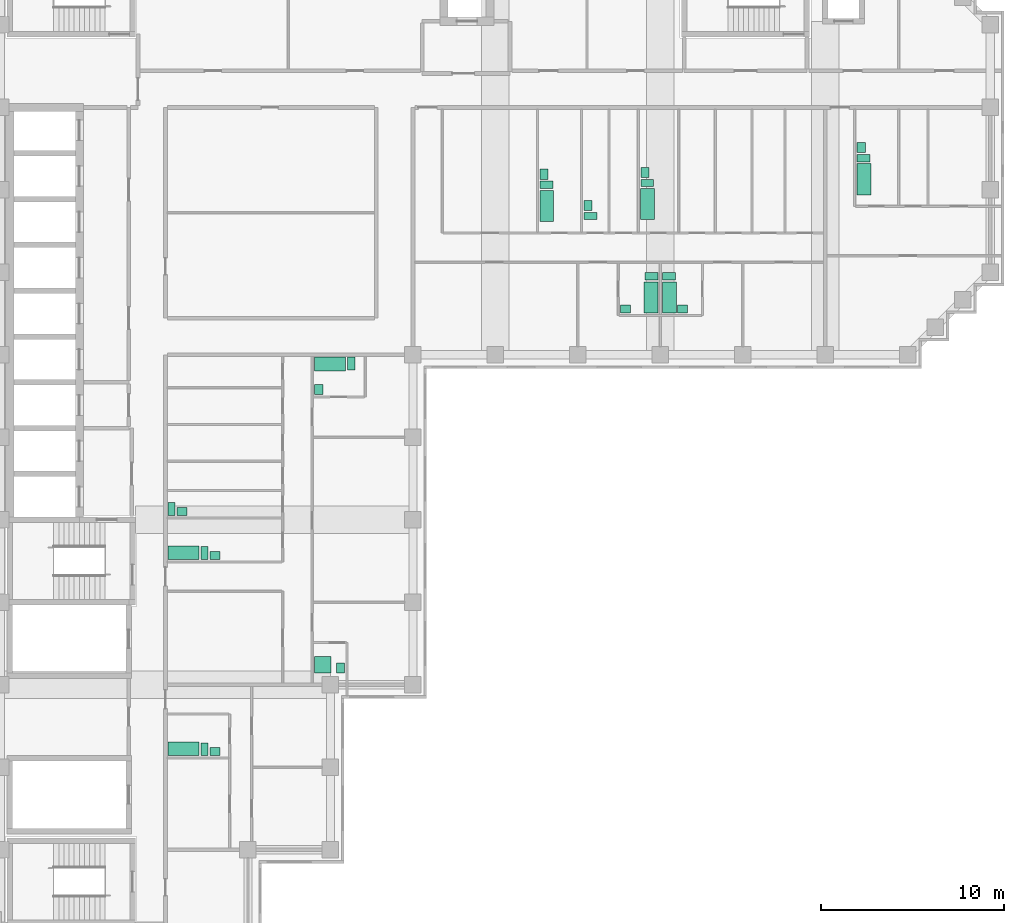
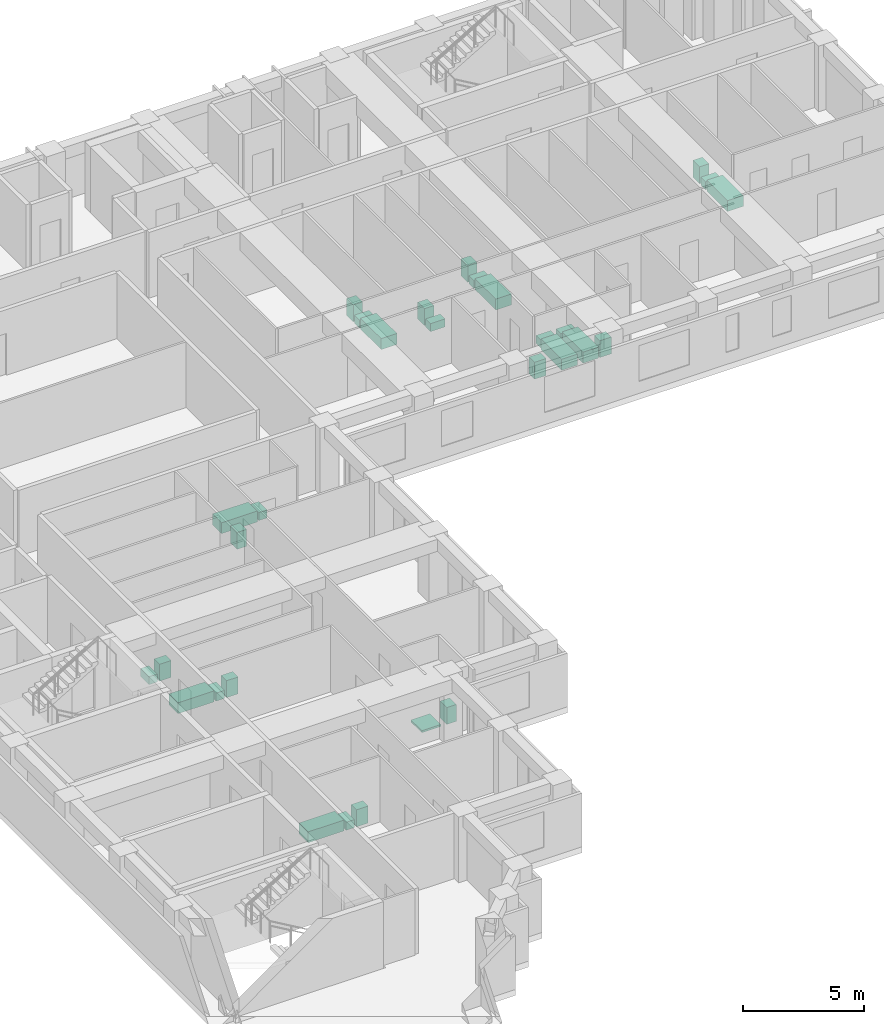
# One storey, part 10 of 10: 30 sanitary terminals.
"""IFC4 building model written with IfcOpenShell, lengths in metres."""

import ifcopenshell
import ifcopenshell.guid

model = None  # the IFC model being written
_history = None  # IfcOwnerHistory: only IFC2X3 demands one
_inside = {}  # id of a spatial element -> (the spatial element, [elements in it])
_under = {}  # id of a project, library or spatial element -> (it, [spatial elements below it])
_declared = {}  # id of a project -> (the project, [libraries it declares])
_typed = {}  # id of a type object -> (the type object, [elements of that type])
_made_of = {}  # id of a material, layer set ... -> (it, [elements and type objects made of it])


def new_model(schema):
    """Start an empty IFC model of exactly this schema.

    Asked for "IFC4X3", IfcOpenShell would pick the latest addendum, in which some entities
    have other attributes; the version numbers below select the first issue.
    IFC2X3 requires an IfcOwnerHistory on every rooted entity: one is made here for all.
    """
    global model, _history
    if schema == "IFC4X3":
        model = ifcopenshell.file(schema_version=(4, 3, 0, 0))
    else:
        model = ifcopenshell.file(schema=schema)
    _inside.clear()
    _under.clear()
    _declared.clear()
    _typed.clear()
    _made_of.clear()
    _history = None
    if model.schema == "IFC2X3":
        org = make("IfcOrganization", Name="unknown")
        user = make(
            "IfcPersonAndOrganization",
            ThePerson=make("IfcPerson", FamilyName="unknown"),
            TheOrganization=org,
        )
        app = make(
            "IfcApplication",
            ApplicationDeveloper=org,
            Version="unknown",
            ApplicationFullName="unknown",
            ApplicationIdentifier="unknown",
        )
        _history = make(
            "IfcOwnerHistory",
            OwningUser=user,
            OwningApplication=app,
            ChangeAction="ADDED",
            CreationDate=0,
        )
    return model


def make(cls, **values):
    """One entity of the class cls with the attributes given. An attribute that is None is left unset."""
    return model.create_entity(
        cls, **{name: value for name, value in values.items() if value is not None}
    )


def rooted(cls, **values):
    """An entity with a GlobalId (a new one), such as an element, a storey or a relation."""
    return make(cls, GlobalId=ifcopenshell.guid.new(), OwnerHistory=_history, **values)


def si_unit(unit_type, name, prefix=None):
    """IfcSIUnit, for example si_unit("LENGTHUNIT", "METRE", prefix="MILLI")."""
    return make("IfcSIUnit", UnitType=unit_type, Prefix=prefix, Name=name)


def assignment(units):
    """IfcUnitAssignment: the units of a project."""
    return None if units is None else make("IfcUnitAssignment", Units=units)


def point(xyz):
    """IfcCartesianPoint."""
    return None if xyz is None else make("IfcCartesianPoint", Coordinates=xyz)


def direction(xyz):
    """IfcDirection."""
    return None if xyz is None else make("IfcDirection", DirectionRatios=xyz)


def frame(location, z_axis=None, x_axis=None):
    """IfcAxis2Placement3D, a coordinate frame: its origin and axes. An axis left out is left unset."""
    return make(
        "IfcAxis2Placement3D",
        Location=point(location),
        Axis=direction(z_axis),
        RefDirection=direction(x_axis),
    )


def frame_2d(location, x_axis=None):
    """IfcAxis2Placement2D, a coordinate frame in the plane: its origin and x axis."""
    return make(
        "IfcAxis2Placement2D", Location=point(location), RefDirection=direction(x_axis)
    )


def origin():
    """The frame at (0, 0, 0) with its axes left unset."""
    return frame((0.0, 0.0, 0.0))


def origin_2d():
    """The frame at (0, 0) in the plane with its x axis left unset."""
    return frame_2d((0.0, 0.0))


def place(relative_to, where):
    """IfcLocalPlacement: puts the frame where relative to a parent placement (None: the world)."""
    return make(
        "IfcLocalPlacement", PlacementRelTo=relative_to, RelativePlacement=where
    )


def context(
    kind, dimensions, precision=None, world=None, true_north=None, identifier=None
):
    """IfcGeometricRepresentationContext, for example the 3D "Model" context."""
    return make(
        "IfcGeometricRepresentationContext",
        ContextIdentifier=identifier,
        ContextType=kind,
        CoordinateSpaceDimension=dimensions,
        Precision=precision,
        WorldCoordinateSystem=world,
        TrueNorth=true_north,
    )


def subcontext(parent, identifier, kind, view, scale=None):
    """IfcGeometricRepresentationSubContext, for example "Body" below "Model"."""
    return make(
        "IfcGeometricRepresentationSubContext",
        ContextIdentifier=identifier,
        ContextType=kind,
        ParentContext=parent,
        TargetScale=scale,
        TargetView=view,
    )


def project(units=None, contexts=None):
    """IfcProject with its units and contexts."""
    return rooted(
        "IfcProject",
        Name="project",
        RepresentationContexts=contexts,
        UnitsInContext=assignment(units),
    )


def spatial(cls, under=None, at=None, **own):
    """A site, building, storey or space (cls), placed at a placement, below another one or the project."""
    s = rooted(cls, ObjectPlacement=at, **own)
    if under is not None:
        _under.setdefault(under.id(), (under, []))[1].append(s)
    return s


def profile(cls, at=None, kind="AREA", **sizes):
    """A parametric profile (cls). Its sizes go by their IFC names, for example OverallWidth=200.0."""
    return make(cls, ProfileType=kind, Position=at, **sizes)


def rectangle(**sizes):
    """IfcRectangleProfileDef."""
    return profile("IfcRectangleProfileDef", **sizes)


def extrude(swept, where, along, depth):
    """IfcExtrudedAreaSolid: the profile swept, set in the frame where, extruded along a direction by depth."""
    return make(
        "IfcExtrudedAreaSolid",
        SweptArea=swept,
        Position=where,
        ExtrudedDirection=direction(along),
        Depth=depth,
    )


def shape(context_of_items, identifier, shape_type, items):
    """IfcShapeRepresentation: the items that make up one representation, for example the "Body"."""
    return make(
        "IfcShapeRepresentation",
        ContextOfItems=context_of_items,
        RepresentationIdentifier=identifier,
        RepresentationType=shape_type,
        Items=items,
    )


def material(Name=None, Category=None):
    """IfcMaterial."""
    return make("IfcMaterial", Name=Name, Category=Category)


def made_of(thing, what):
    """Note that an element or type object is made of a material, layer set ...; save() writes the relation."""
    if what is not None:
        _made_of.setdefault(what.id(), (what, []))[1].append(thing)
    return thing


def type_object(cls, material=None, **own):
    """A type object (cls), such as IfcWallType, which elements share."""
    return made_of(rooted(cls, **own), material)


def element(
    cls,
    number,
    at=None,
    inside=None,
    cuts=None,
    type_object=None,
    material=None,
    context=None,
    identifier="Body",
    shape_type=None,
    held_by="IfcProductDefinitionShape",
    body=None,
    shapes=None,
    **own,
):
    """One element of the class cls, such as IfcWall. Its Tag is "e" and its number.

    at: its placement. inside: the storey or other place that contains it. cuts: it is an
    opening in that element (IfcRelVoidsElement). A single representation is given by context,
    identifier, shape_type and body (its items); several are given by shapes. held_by: the class
    of the entity that holds the representations. save() writes the other relations.
    """
    e = rooted(cls, Tag="e%d" % number, ObjectPlacement=at, **own)
    if body is not None:
        shapes = [shape(context, identifier, shape_type, body)]
    if shapes is not None:
        e.Representation = make(held_by, Representations=shapes)
    if inside is not None:
        _inside.setdefault(inside.id(), (inside, []))[1].append(e)
    if cuts is not None:
        rooted(
            "IfcRelVoidsElement", RelatingBuildingElement=cuts, RelatedOpeningElement=e
        )
    if type_object is not None:
        _typed.setdefault(type_object.id(), (type_object, []))[1].append(e)
    return made_of(e, material)


def aggregate(whole, parts):
    """IfcRelAggregates: a whole, such as a stair, and the parts it consists of."""
    return rooted("IfcRelAggregates", RelatingObject=whole, RelatedObjects=parts)


def save(model, path):
    """Write the relations noted so far, then the file.

    IfcRelAggregates (storeys below a building ...), IfcRelContainedInSpatialStructure (elements
    in a storey), IfcRelDefinesByType, IfcRelAssociatesMaterial and IfcRelDeclares: one each for
    every whole, place, type object, material and project.
    """
    for whole, parts in _under.values():
        aggregate(whole, parts)
    for where, things in _inside.values():
        rooted(
            "IfcRelContainedInSpatialStructure",
            RelatedElements=things,
            RelatingStructure=where,
        )
    for kind, things in _typed.values():
        rooted("IfcRelDefinesByType", RelatedObjects=things, RelatingType=kind)
    for what, things in _made_of.values():
        rooted("IfcRelAssociatesMaterial", RelatedObjects=things, RelatingMaterial=what)
    for by, libraries in _declared.values():
        rooted("IfcRelDeclares", RelatingContext=by, RelatedDefinitions=libraries)
    model.write(path)


model = new_model("IFC4")

# Units and contexts
model_context = context("Model", 3, precision=1e-05, world=origin(), true_north=direction((0.0, 1.0)))
body_context = subcontext(model_context, "Body", "Model", "MODEL_VIEW")
ifc_project = project(units=[si_unit("LENGTHUNIT", "METRE"), si_unit("AREAUNIT", "SQUARE_METRE"), si_unit("VOLUMEUNIT", "CUBIC_METRE"), si_unit("PLANEANGLEUNIT", "RADIAN"), si_unit("MASSUNIT", "GRAM", prefix="KILO")], contexts=[model_context])

# Site, building, storey
site_placement = place(None, origin())
site = spatial("IfcSite", under=ifc_project, at=site_placement, CompositionType="ELEMENT")
building_placement = place(site_placement, origin())
building = spatial("IfcBuilding", under=site, at=building_placement, Name="Firuza Court", CompositionType="ELEMENT")
storey_placement = place(building_placement, frame((0.0, 0.0, 197.0)))
storey = spatial("IfcBuildingStorey", under=building, at=storey_placement, Name="L50", CompositionType="ELEMENT", Elevation=197.0)

# Sanitary terminals
ifc_material_1 = material(Name="Vitreous china", Category="ceramic")
sanitary_terminal_type_1 = type_object("IfcSanitaryTerminalType", Name="Fixture Bath", PredefinedType="BATH", material=ifc_material_1)
for number, where, z_axis, x_axis, name in (
    (1, (29.804931640625, 44.1298828125, 0.0), (0.0, 0.0, 1.0), (1.0, 0.0, 0.0), "Bath"),
    (2, (35.304931640625, 44.22998046875, 0.0), (0.0, 0.0, 1.0), (1.0, 0.0, 0.0), "Bath"),
    (3, (35.4951171875, 39.1298828125, 0.0), (0.0, 0.0, 1.0), (1.0, 0.0, 0.0), "Bath"),
    (4, (36.5048828125, 39.1298828125, 0.0), (0.0, 0.0, 1.0), (1.0, 0.0, 0.0), "Bath"),
    (5, (47.10498046875, 45.580078125, 0.0), (0.0, 0.0, 1.0), (1.0, 0.0, 0.0), "Bath"),
):
    element("IfcSanitaryTerminal", number, at=place(storey_placement, frame(where, z_axis=z_axis, x_axis=x_axis)), inside=storey, type_object=sanitary_terminal_type_1, Name=name, PredefinedType="BATH", context=body_context, shape_type="SweptSolid", body=[
        extrude(rectangle(XDim=0.75, YDim=1.699951171875, at=origin_2d()), origin(), (0.0, 0.0, 1.0), 0.550048828125),
    ])
for number, where, z_axis, x_axis, name in (
    (6, (9.97998046875, 25.205078125, 0.0), (0.0, 0.0, 1.0), (1.0, 0.0, 0.0), "Bath"),
    (7, (17.97998046875, 35.4951171875, 0.0), (0.0, 0.0, 1.0), (1.0, 0.0, 0.0), "Bath"),
    (8, (9.97998046875, 14.5048828125, 0.0), (0.0, 0.0, 1.0), (1.0, 0.0, 0.0), "Bath"),
):
    element("IfcSanitaryTerminal", number, at=place(storey_placement, frame(where, z_axis=z_axis, x_axis=x_axis)), inside=storey, type_object=sanitary_terminal_type_1, Name=name, PredefinedType="BATH", context=body_context, shape_type="SweptSolid", body=[
        extrude(rectangle(XDim=1.699951171875, YDim=0.75, at=origin_2d()), origin(), (0.0, 0.0, 1.0), 0.550048828125),
    ])
ifc_material_2 = material(Name="Vitreous china", Category="ceramic")
sanitary_terminal_type_2 = type_object("IfcSanitaryTerminalType", Name="Fixture Shower tray", PredefinedType="SHOWER", material=ifc_material_2)
sanitary_terminal_1_placement = place(storey_placement, frame((17.580078125, 19.080078125, 0.0), z_axis=(0.0, 0.0, 1.0), x_axis=(1.0, 0.0, 0.0)))
element("IfcSanitaryTerminal", 9, at=sanitary_terminal_1_placement, inside=storey, type_object=sanitary_terminal_type_2, Name="Shower tray", PredefinedType="SHOWER", context=body_context, shape_type="SweptSolid", body=[
    extrude(rectangle(XDim=0.89990234375, YDim=0.89990234375, at=origin_2d()), origin(), (0.0, 0.0, 1.0), 0.10009765625),
])
ifc_material_3 = material(Name="Vitreous china", Category="ceramic")
sanitary_terminal_type_3 = type_object("IfcSanitaryTerminalType", Name="Fixture WC pan", PredefinedType="TOILETPAN", material=ifc_material_3)
for number, where, z_axis, x_axis, name in (
    (10, (29.780029296875, 45.280029296875, 0.0), (0.0, 0.0, 1.0), (1.0, 0.0, 0.0), "WC pan"),
    (11, (32.179931640625, 43.580078125, 0.0), (0.0, 0.0, 1.0), (1.0, 0.0, 0.0), "WC pan"),
    (12, (35.280029296875, 45.3798828125, 0.0), (0.0, 0.0, 1.0), (1.0, 0.0, 0.0), "WC pan"),
    (13, (35.52001953125, 40.280029296875, 0.0), (0.0, 0.0, 1.0), (1.0, 0.0, 0.0), "WC pan"),
    (14, (36.47998046875, 40.280029296875, 0.0), (0.0, 0.0, 1.0), (1.0, 0.0, 0.0), "WC pan"),
    (15, (47.080078125, 46.72998046875, 0.0), (0.0, 0.0, 1.0), (1.0, 0.0, 0.0), "WC pan"),
):
    element("IfcSanitaryTerminal", number, at=place(storey_placement, frame(where, z_axis=z_axis, x_axis=x_axis)), inside=storey, type_object=sanitary_terminal_type_3, Name=name, PredefinedType="TOILETPAN", context=body_context, shape_type="SweptSolid", body=[
        extrude(rectangle(XDim=0.699951171875, YDim=0.39990234375, at=origin_2d()), origin(), (0.0, 0.0, 1.0), 0.39990234375),
    ])
for number, where, z_axis, x_axis, name in (
    (16, (11.1298828125, 25.179931640625, 0.0), (0.0, 0.0, 1.0), (1.0, 0.0, 0.0), "WC pan"),
    (17, (9.330078125, 27.580078125, 0.0), (0.0, 0.0, 1.0), (1.0, 0.0, 0.0), "WC pan"),
    (18, (19.1298828125, 35.52001953125, 0.0), (0.0, 0.0, 1.0), (1.0, 0.0, 0.0), "WC pan"),
    (19, (11.1298828125, 14.47998046875, 0.0), (0.0, 0.0, 1.0), (1.0, 0.0, 0.0), "WC pan"),
):
    element("IfcSanitaryTerminal", number, at=place(storey_placement, frame(where, z_axis=z_axis, x_axis=x_axis)), inside=storey, type_object=sanitary_terminal_type_3, Name=name, PredefinedType="TOILETPAN", context=body_context, shape_type="SweptSolid", body=[
        extrude(rectangle(XDim=0.39990234375, YDim=0.699951171875, at=origin_2d()), origin(), (0.0, 0.0, 1.0), 0.39990234375),
    ])
ifc_material_4 = material(Name="Vitreous china", Category="ceramic")
sanitary_terminal_type_4 = type_object("IfcSanitaryTerminalType", Name="Fixture Washbasin", PredefinedType="WASHHANDBASIN", material=ifc_material_4)
for number, where, z_axis, x_axis, name in (
    (20, (29.655029296875, 45.85498046875, 0.0), (0.0, 0.0, 1.0), (1.0, 0.0, 0.0), "Washbasin"),
    (21, (32.054931640625, 44.155029296875, 0.0), (0.0, 0.0, 1.0), (1.0, 0.0, 0.0), "Washbasin"),
    (22, (35.155029296875, 45.955078125, 0.0), (0.0, 0.0, 1.0), (1.0, 0.0, 0.0), "Washbasin"),
):
    element("IfcSanitaryTerminal", number, at=place(storey_placement, frame(where, z_axis=z_axis, x_axis=x_axis)), inside=storey, type_object=sanitary_terminal_type_4, Name=name, PredefinedType="WASHHANDBASIN", context=body_context, shape_type="SweptSolid", body=[
        extrude(rectangle(XDim=0.449951171875, YDim=0.550048828125, at=origin_2d()), origin(), (0.0, 0.0, 1.0), 0.85009765625),
    ])
for number, where, z_axis, x_axis, name in (
    (23, (34.10498046875, 38.5048828125, 0.0), (0.0, 0.0, 1.0), (1.0, 0.0, 0.0), "Washbasin"),
    (24, (37.205078125, 38.5048828125, 0.0), (0.0, 0.0, 1.0), (1.0, 0.0, 0.0), "Washbasin"),
):
    element("IfcSanitaryTerminal", number, at=place(storey_placement, frame(where, z_axis=z_axis, x_axis=x_axis)), inside=storey, type_object=sanitary_terminal_type_4, Name=name, PredefinedType="WASHHANDBASIN", context=body_context, shape_type="SweptSolid", body=[
        extrude(rectangle(XDim=0.550048828125, YDim=0.449951171875, at=origin_2d()), origin(), (0.0, 0.0, 1.0), 0.85009765625),
    ])
sanitary_terminal_2_placement = place(storey_placement, frame((46.955078125, 47.304931640625, 0.0), z_axis=(0.0, 0.0, 1.0), x_axis=(1.0, 0.0, 0.0)))
element("IfcSanitaryTerminal", 25, at=sanitary_terminal_2_placement, inside=storey, type_object=sanitary_terminal_type_4, Name="Washbasin", PredefinedType="WASHHANDBASIN", context=body_context, shape_type="SweptSolid", body=[
    extrude(rectangle(XDim=0.449951171875, YDim=0.550048828125, at=origin_2d()), origin(), (0.0, 0.0, 1.0), 0.85009765625),
])
for number, where, z_axis, x_axis, name in (
    (26, (11.705078125, 25.054931640625, 0.0), (0.0, 0.0, 1.0), (1.0, 0.0, 0.0), "Washbasin"),
    (27, (9.905029296875, 27.455078125, 0.0), (0.0, 0.0, 1.0), (1.0, 0.0, 0.0), "Washbasin"),
):
    element("IfcSanitaryTerminal", number, at=place(storey_placement, frame(where, z_axis=z_axis, x_axis=x_axis)), inside=storey, type_object=sanitary_terminal_type_4, Name=name, PredefinedType="WASHHANDBASIN", context=body_context, shape_type="SweptSolid", body=[
        extrude(rectangle(XDim=0.550048828125, YDim=0.449951171875, at=origin_2d()), origin(), (0.0, 0.0, 1.0), 0.85009765625),
    ])
for number, where, z_axis, x_axis, name in (
    (28, (18.544921875, 18.905029296875, 0.0), (0.0, 0.0, 1.0), (1.0, 0.0, 0.0), "Washbasin"),
    (29, (17.35498046875, 34.10498046875, 0.0), (0.0, 0.0, 1.0), (1.0, 0.0, 0.0), "Washbasin"),
):
    element("IfcSanitaryTerminal", number, at=place(storey_placement, frame(where, z_axis=z_axis, x_axis=x_axis)), inside=storey, type_object=sanitary_terminal_type_4, Name=name, PredefinedType="WASHHANDBASIN", context=body_context, shape_type="SweptSolid", body=[
        extrude(rectangle(XDim=0.449951171875, YDim=0.550048828125, at=origin_2d()), origin(), (0.0, 0.0, 1.0), 0.85009765625),
    ])
sanitary_terminal_3_placement = place(storey_placement, frame((11.705078125, 14.35498046875, 0.0), z_axis=(0.0, 0.0, 1.0), x_axis=(1.0, 0.0, 0.0)))
element("IfcSanitaryTerminal", 30, at=sanitary_terminal_3_placement, inside=storey, type_object=sanitary_terminal_type_4, Name="Washbasin", PredefinedType="WASHHANDBASIN", context=body_context, shape_type="SweptSolid", body=[
    extrude(rectangle(XDim=0.550048828125, YDim=0.449951171875, at=origin_2d()), origin(), (0.0, 0.0, 1.0), 0.85009765625),
])

save(model, "model.ifc")
